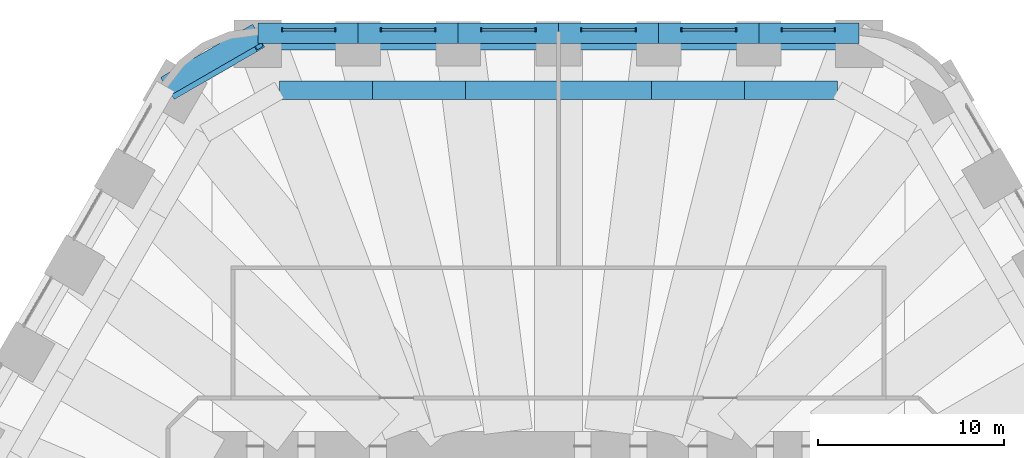
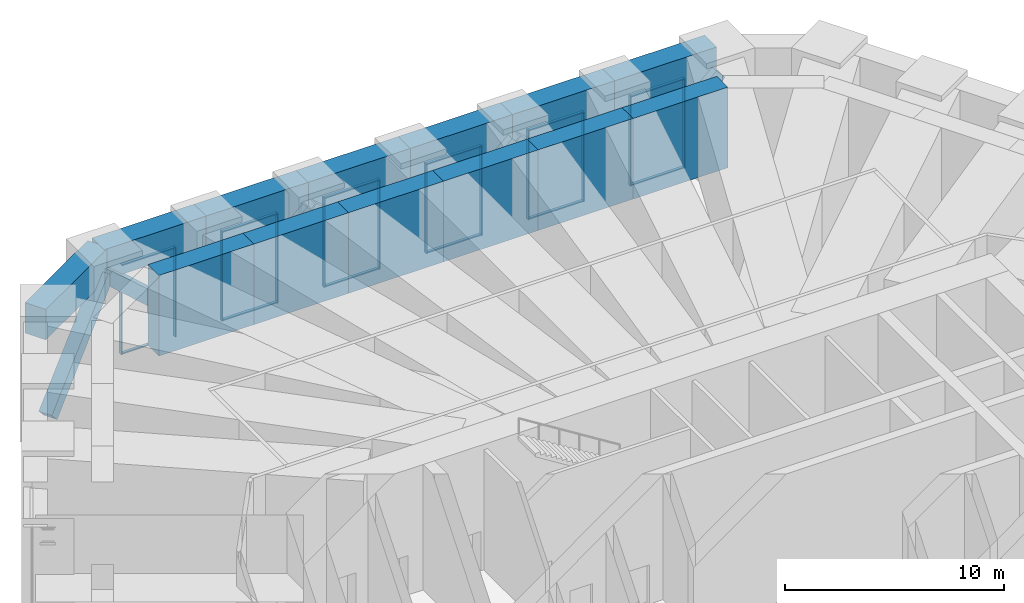
# One storey, part 11 of 17: 31 members, 13 beams, 6 elements without a shape of their own.
"""IFC4 building model written with IfcOpenShell, lengths in metres."""

from ifc_helpers import new_model, si_unit, direction, frame, origin, origin_2d, place, context, subcontext, project, spatial, rectangle, hollow_rectangle, extrude, material, material_profile, profile_set, type_object, element, aggregate, save


model = new_model("IFC4")

# Units and contexts
model_context = context("Model", 3, precision=1e-05, world=origin(), true_north=direction((0.0, 1.0)))
body_context = subcontext(model_context, "Body", "Model", "MODEL_VIEW")
ifc_project = project(units=[si_unit("LENGTHUNIT", "METRE"), si_unit("AREAUNIT", "SQUARE_METRE"), si_unit("VOLUMEUNIT", "CUBIC_METRE"), si_unit("PLANEANGLEUNIT", "RADIAN"), si_unit("MASSUNIT", "GRAM", prefix="KILO")], contexts=[model_context])

# Site, building, storey
site_placement = place(None, origin())
site = spatial("IfcSite", under=ifc_project, at=site_placement, CompositionType="ELEMENT")
building_placement = place(site_placement, origin())
building = spatial("IfcBuilding", under=site, at=building_placement, Name="Tarfa Lantern Tower", CompositionType="ELEMENT")
storey_placement = place(building_placement, frame((0.0, 0.0, 107.5)))
storey = spatial("IfcBuildingStorey", under=building, at=storey_placement, Name="L24", CompositionType="ELEMENT", Elevation=107.5)

# Members
ifc_material_1 = material(Name="Steel S460M", Category="steel")
ifc_material_profile_1 = material_profile(ifc_material_1, hollow_rectangle(XDim=0.699951171875, YDim=0.699951171875, WallThickness=0.080078125, at=origin_2d()), Name="BOX700x700x80")
ifc_profile_set_1 = profile_set([ifc_material_profile_1], Name="Steel S460M")
member_type_1 = type_object("IfcMemberType", Name="BT1 BOX700x700x80", PredefinedType="BRACE", material=ifc_profile_set_1)
member_1_placement = place(storey_placement, frame((10.777099609375, 33.14990234375, 0.60009765625), z_axis=(0.746729497416, 0.0, 0.665127850634), x_axis=(0.0, 1.0, 0.0)))
element("IfcMember", 1, at=member_1_placement, inside=storey, type_object=member_type_1, Name="Belt truss diagonal 8", PredefinedType="BRACE", context=body_context, shape_type="SweptSolid", body=[
    extrude(hollow_rectangle(XDim=0.699951171875, YDim=0.699951171875, WallThickness=0.080078125, at=origin_2d()), origin(), (0.0, 0.0, 1.0), 7.21630859375),
])
member_2_placement = place(storey_placement, frame((10.777099609375, 33.14990234375, 0.60009765625), z_axis=(-0.746714529948, 0.0, 0.665144654015), x_axis=(0.0, -1.0, 0.0)))
element("IfcMember", 2, at=member_2_placement, inside=storey, type_object=member_type_1, Name="Belt truss diagonal 9", PredefinedType="BRACE", context=body_context, shape_type="SweptSolid", body=[
    extrude(hollow_rectangle(XDim=0.699951171875, YDim=0.699951171875, WallThickness=0.080078125, at=origin_2d()), origin(), (0.0, 0.0, 1.0), 7.216064453125),
])
for number, where, z_axis, x_axis, name in (
    (3, (0.0, 33.14990234375, 0.60009765625), (0.746729497416, 0.0, 0.665127850634), (0.0, 1.0, 0.0), "Belt truss diagonal 10"),
    (4, (0.0, 33.14990234375, 0.60009765625), (-0.746729497416, 0.0, 0.665127850634), (0.0, -1.0, 0.0), "Belt truss diagonal 11"),
):
    element("IfcMember", number, at=place(storey_placement, frame(where, z_axis=z_axis, x_axis=x_axis)), inside=storey, type_object=member_type_1, Name=name, PredefinedType="BRACE", context=body_context, shape_type="SweptSolid", body=[
        extrude(hollow_rectangle(XDim=0.699951171875, YDim=0.699951171875, WallThickness=0.080078125, at=origin_2d()), origin(), (0.0, 0.0, 1.0), 7.21630859375),
    ])
member_3_placement = place(storey_placement, frame((-10.777099609375, 33.14990234375, 0.60009765625), z_axis=(0.746714529948, 0.0, 0.665144654015), x_axis=(0.0, 1.0, 0.0)))
element("IfcMember", 5, at=member_3_placement, inside=storey, type_object=member_type_1, Name="Belt truss diagonal 12", PredefinedType="BRACE", context=body_context, shape_type="SweptSolid", body=[
    extrude(hollow_rectangle(XDim=0.699951171875, YDim=0.699951171875, WallThickness=0.080078125, at=origin_2d()), origin(), (0.0, 0.0, 1.0), 7.216064453125),
])
member_4_placement = place(storey_placement, frame((-10.777099609375, 33.14990234375, 0.60009765625), z_axis=(-0.746729497416, 0.0, 0.665127850634), x_axis=(0.0, -1.0, 0.0)))
element("IfcMember", 6, at=member_4_placement, inside=storey, type_object=member_type_1, Name="Belt truss diagonal 13", PredefinedType="BRACE", context=body_context, shape_type="SweptSolid", body=[
    extrude(hollow_rectangle(XDim=0.699951171875, YDim=0.699951171875, WallThickness=0.080078125, at=origin_2d()), origin(), (0.0, 0.0, 1.0), 7.21630859375),
])
member_5_placement = place(storey_placement, frame((-20.625732421875, 30.574951171875, 0.60009765625), z_axis=(0.633529001799, 0.365766935733, 0.681803162654), x_axis=(-0.499998765615, 0.866026116456, 0.0)))
element("IfcMember", 7, at=member_5_placement, inside=storey, type_object=member_type_1, Name="Belt truss diagonal 14", PredefinedType="BRACE", context=body_context, shape_type="SweptSolid", body=[
    extrude(hollow_rectangle(XDim=0.699951171875, YDim=0.699951171875, WallThickness=0.080078125, at=origin_2d()), origin(), (0.0, 0.0, 1.0), 7.039794921875),
])

# Curtain wall, members
ifc_material_2 = material(Name="Aluminium framed curtain wall", Category="aluminium")
curtain_wall_type = type_object("IfcCurtainWallType", Name="CW6 LOUVRED SCREEN WALL 5000", PredefinedType="USERDEFINED", material=ifc_material_2)
curtain_wall_1_placement = place(storey_placement, origin())
curtain_wall_1 = element("IfcCurtainWall", 8, at=curtain_wall_1_placement, inside=storey, type_object=curtain_wall_type, Name="CW6 N L24", ObjectType="CURTAIN WALL", PredefinedType="USERDEFINED")
ifc_material_3 = material(Name="Aluminium mullion", Category="aluminium")
ifc_material_profile_2 = material_profile(ifc_material_3, rectangle(XDim=0.06494140625, YDim=0.199951171875, at=origin_2d()), Name="AL MULLION 65x200")
ifc_profile_set_2 = profile_set([ifc_material_profile_2], Name="Aluminium mullion")
member_type_2 = type_object("IfcMemberType", Name="CWM1 MULLION 65x200", PredefinedType="MULLION", material=ifc_profile_set_2)
member_6_placement = place(storey_placement, frame((14.8583984375, 33.89990234375, 0.0), z_axis=(0.0, 0.0, 1.0), x_axis=(1.0, 0.0, 0.0)))
member_6 = element("IfcMember", 9, at=member_6_placement, type_object=member_type_2, Name="CW6 mullion 1", PredefinedType="MULLION", context=body_context, shape_type="SweptSolid", body=[
    extrude(rectangle(XDim=0.06494140625, YDim=0.199951171875, at=origin_2d()), origin(), (0.0, 0.0, 1.0), 5.0),
])
member_7_placement = place(storey_placement, frame((12.009765625, 33.89990234375, 0.0), z_axis=(0.0, 0.0, 1.0), x_axis=(1.0, 0.0, 0.0)))
member_7 = element("IfcMember", 10, at=member_7_placement, type_object=member_type_2, Name="CW6 mullion 2", PredefinedType="MULLION", context=body_context, shape_type="SweptSolid", body=[
    extrude(rectangle(XDim=0.06494140625, YDim=0.199951171875, at=origin_2d()), origin(), (0.0, 0.0, 1.0), 5.0),
])

curtain_wall_2_placement = place(storey_placement, origin())
curtain_wall_2 = element("IfcCurtainWall", 11, at=curtain_wall_2_placement, inside=storey, type_object=curtain_wall_type, Name="CW6 N L24", ObjectType="CURTAIN WALL", PredefinedType="USERDEFINED")
member_8_placement = place(storey_placement, frame((9.544677734375, 33.89990234375, 0.0), z_axis=(0.0, 0.0, 1.0), x_axis=(1.0, 0.0, 0.0)))
member_8 = element("IfcMember", 12, at=member_8_placement, type_object=member_type_2, Name="CW6 mullion 1", PredefinedType="MULLION", context=body_context, shape_type="SweptSolid", body=[
    extrude(rectangle(XDim=0.06494140625, YDim=0.199951171875, at=origin_2d()), origin(), (0.0, 0.0, 1.0), 5.0),
])
member_9_placement = place(storey_placement, frame((6.62109375, 33.89990234375, 0.0), z_axis=(0.0, 0.0, 1.0), x_axis=(1.0, 0.0, 0.0)))
member_9 = element("IfcMember", 13, at=member_9_placement, type_object=member_type_2, Name="CW6 mullion 2", PredefinedType="MULLION", context=body_context, shape_type="SweptSolid", body=[
    extrude(rectangle(XDim=0.06494140625, YDim=0.199951171875, at=origin_2d()), origin(), (0.0, 0.0, 1.0), 5.0),
])

curtain_wall_3_placement = place(storey_placement, origin())
curtain_wall_3 = element("IfcCurtainWall", 14, at=curtain_wall_3_placement, inside=storey, type_object=curtain_wall_type, Name="CW6 N L24", ObjectType="CURTAIN WALL", PredefinedType="USERDEFINED")
member_10_placement = place(storey_placement, frame((4.156005859375, 33.89990234375, 0.0), z_axis=(0.0, 0.0, 1.0), x_axis=(1.0, 0.0, 0.0)))
member_10 = element("IfcMember", 15, at=member_10_placement, type_object=member_type_2, Name="CW6 mullion 1", PredefinedType="MULLION", context=body_context, shape_type="SweptSolid", body=[
    extrude(rectangle(XDim=0.06494140625, YDim=0.199951171875, at=origin_2d()), origin(), (0.0, 0.0, 1.0), 5.0),
])
member_11_placement = place(storey_placement, frame((1.232421875, 33.89990234375, 0.0), z_axis=(0.0, 0.0, 1.0), x_axis=(1.0, 0.0, 0.0)))
member_11 = element("IfcMember", 16, at=member_11_placement, type_object=member_type_2, Name="CW6 mullion 2", PredefinedType="MULLION", context=body_context, shape_type="SweptSolid", body=[
    extrude(rectangle(XDim=0.06494140625, YDim=0.199951171875, at=origin_2d()), origin(), (0.0, 0.0, 1.0), 5.0),
])

curtain_wall_4_placement = place(storey_placement, origin())
curtain_wall_4 = element("IfcCurtainWall", 17, at=curtain_wall_4_placement, inside=storey, type_object=curtain_wall_type, Name="CW6 N L24", ObjectType="CURTAIN WALL", PredefinedType="USERDEFINED")
member_12_placement = place(storey_placement, frame((-1.232421875, 33.89990234375, 0.0), z_axis=(0.0, 0.0, 1.0), x_axis=(1.0, 0.0, 0.0)))
member_12 = element("IfcMember", 18, at=member_12_placement, type_object=member_type_2, Name="CW6 mullion 1", PredefinedType="MULLION", context=body_context, shape_type="SweptSolid", body=[
    extrude(rectangle(XDim=0.06494140625, YDim=0.199951171875, at=origin_2d()), origin(), (0.0, 0.0, 1.0), 5.0),
])
member_13_placement = place(storey_placement, frame((-4.156005859375, 33.89990234375, 0.0), z_axis=(0.0, 0.0, 1.0), x_axis=(1.0, 0.0, 0.0)))
member_13 = element("IfcMember", 19, at=member_13_placement, type_object=member_type_2, Name="CW6 mullion 2", PredefinedType="MULLION", context=body_context, shape_type="SweptSolid", body=[
    extrude(rectangle(XDim=0.06494140625, YDim=0.199951171875, at=origin_2d()), origin(), (0.0, 0.0, 1.0), 5.0),
])

curtain_wall_5_placement = place(storey_placement, origin())
curtain_wall_5 = element("IfcCurtainWall", 20, at=curtain_wall_5_placement, inside=storey, type_object=curtain_wall_type, Name="CW6 N L24", ObjectType="CURTAIN WALL", PredefinedType="USERDEFINED")
member_14_placement = place(storey_placement, frame((-6.62109375, 33.89990234375, 0.0), z_axis=(0.0, 0.0, 1.0), x_axis=(1.0, 0.0, 0.0)))
member_14 = element("IfcMember", 21, at=member_14_placement, type_object=member_type_2, Name="CW6 mullion 1", PredefinedType="MULLION", context=body_context, shape_type="SweptSolid", body=[
    extrude(rectangle(XDim=0.06494140625, YDim=0.199951171875, at=origin_2d()), origin(), (0.0, 0.0, 1.0), 5.0),
])
member_15_placement = place(storey_placement, frame((-9.544677734375, 33.89990234375, 0.0), z_axis=(0.0, 0.0, 1.0), x_axis=(1.0, 0.0, 0.0)))
member_15 = element("IfcMember", 22, at=member_15_placement, type_object=member_type_2, Name="CW6 mullion 2", PredefinedType="MULLION", context=body_context, shape_type="SweptSolid", body=[
    extrude(rectangle(XDim=0.06494140625, YDim=0.199951171875, at=origin_2d()), origin(), (0.0, 0.0, 1.0), 5.0),
])

curtain_wall_6_placement = place(storey_placement, origin())
curtain_wall_6 = element("IfcCurtainWall", 23, at=curtain_wall_6_placement, inside=storey, type_object=curtain_wall_type, Name="CW6 N L24", ObjectType="CURTAIN WALL", PredefinedType="USERDEFINED")
member_16_placement = place(storey_placement, frame((-12.009765625, 33.89990234375, 0.0), z_axis=(0.0, 0.0, 1.0), x_axis=(1.0, 0.0, 0.0)))
member_16 = element("IfcMember", 24, at=member_16_placement, type_object=member_type_2, Name="CW6 mullion 1", PredefinedType="MULLION", context=body_context, shape_type="SweptSolid", body=[
    extrude(rectangle(XDim=0.06494140625, YDim=0.199951171875, at=origin_2d()), origin(), (0.0, 0.0, 1.0), 5.0),
])
member_17_placement = place(storey_placement, frame((-14.8583984375, 33.89990234375, 0.0), z_axis=(0.0, 0.0, 1.0), x_axis=(1.0, 0.0, 0.0)))
member_17 = element("IfcMember", 25, at=member_17_placement, type_object=member_type_2, Name="CW6 mullion 2", PredefinedType="MULLION", context=body_context, shape_type="SweptSolid", body=[
    extrude(rectangle(XDim=0.06494140625, YDim=0.199951171875, at=origin_2d()), origin(), (0.0, 0.0, 1.0), 5.0),
])

# Member
ifc_material_4 = material(Name="Aluminium transom", Category="aluminium")
ifc_material_profile_3 = material_profile(ifc_material_4, rectangle(XDim=0.14990234375, YDim=0.06494140625, at=origin_2d()), Name="AL TRANSOM 150x65")
ifc_profile_set_3 = profile_set([ifc_material_profile_3], Name="Aluminium transom")
member_type_3 = type_object("IfcMemberType", Name="CWT1 TRANSOM 150x65", PredefinedType="USERDEFINED", material=ifc_profile_set_3)
member_18_placement = place(storey_placement, frame((14.825927734375, 33.89990234375, 0.032470703125), z_axis=(-1.0, 0.0, 0.0), x_axis=(0.0, -1.0, 0.0)))
member_18 = element("IfcMember", 26, at=member_18_placement, type_object=member_type_3, Name="CW6 transom 1.1", ObjectType="TRANSOM", PredefinedType="USERDEFINED", context=body_context, shape_type="SweptSolid", body=[
    extrude(rectangle(XDim=0.14990234375, YDim=0.06494140625, at=origin_2d()), origin(), (0.0, 0.0, 1.0), 2.78369140625),
])

member_19_placement = place(storey_placement, frame((14.825927734375, 33.89990234375, 4.967529296875), z_axis=(-1.0, 0.0, 0.0), x_axis=(0.0, -1.0, 0.0)))
member_19 = element("IfcMember", 27, at=member_19_placement, type_object=member_type_3, Name="CW6 transom 1.2", ObjectType="TRANSOM", PredefinedType="USERDEFINED", context=body_context, shape_type="SweptSolid", body=[
    extrude(rectangle(XDim=0.14990234375, YDim=0.06494140625, at=origin_2d()), origin(), (0.0, 0.0, 1.0), 2.78369140625),
])

aggregate(curtain_wall_1, [member_6, member_7, member_18, member_19])

member_20_placement = place(storey_placement, frame((9.51220703125, 33.89990234375, 0.032470703125), z_axis=(-1.0, 0.0, 0.0), x_axis=(0.0, -1.0, 0.0)))
member_20 = element("IfcMember", 28, at=member_20_placement, type_object=member_type_3, Name="CW6 transom 1.1", ObjectType="TRANSOM", PredefinedType="USERDEFINED", context=body_context, shape_type="SweptSolid", body=[
    extrude(rectangle(XDim=0.14990234375, YDim=0.06494140625, at=origin_2d()), origin(), (0.0, 0.0, 1.0), 2.858642578125),
])

member_21_placement = place(storey_placement, frame((9.51220703125, 33.89990234375, 4.967529296875), z_axis=(-1.0, 0.0, 0.0), x_axis=(0.0, -1.0, 0.0)))
member_21 = element("IfcMember", 29, at=member_21_placement, type_object=member_type_3, Name="CW6 transom 1.2", ObjectType="TRANSOM", PredefinedType="USERDEFINED", context=body_context, shape_type="SweptSolid", body=[
    extrude(rectangle(XDim=0.14990234375, YDim=0.06494140625, at=origin_2d()), origin(), (0.0, 0.0, 1.0), 2.858642578125),
])

aggregate(curtain_wall_2, [member_8, member_9, member_20, member_21])

member_22_placement = place(storey_placement, frame((4.12353515625, 33.89990234375, 0.032470703125), z_axis=(-1.0, 0.0, 0.0), x_axis=(0.0, -1.0, 0.0)))
member_22 = element("IfcMember", 30, at=member_22_placement, type_object=member_type_3, Name="CW6 transom 1.1", ObjectType="TRANSOM", PredefinedType="USERDEFINED", context=body_context, shape_type="SweptSolid", body=[
    extrude(rectangle(XDim=0.14990234375, YDim=0.06494140625, at=origin_2d()), origin(), (0.0, 0.0, 1.0), 2.858642578125),
])

member_23_placement = place(storey_placement, frame((4.12353515625, 33.89990234375, 4.967529296875), z_axis=(-1.0, 0.0, 0.0), x_axis=(0.0, -1.0, 0.0)))
member_23 = element("IfcMember", 31, at=member_23_placement, type_object=member_type_3, Name="CW6 transom 1.2", ObjectType="TRANSOM", PredefinedType="USERDEFINED", context=body_context, shape_type="SweptSolid", body=[
    extrude(rectangle(XDim=0.14990234375, YDim=0.06494140625, at=origin_2d()), origin(), (0.0, 0.0, 1.0), 2.858642578125),
])

aggregate(curtain_wall_3, [member_10, member_11, member_22, member_23])

member_24_placement = place(storey_placement, frame((-1.264892578125, 33.89990234375, 0.032470703125), z_axis=(-1.0, 0.0, 0.0), x_axis=(0.0, -1.0, 0.0)))
member_24 = element("IfcMember", 32, at=member_24_placement, type_object=member_type_3, Name="CW6 transom 1.1", ObjectType="TRANSOM", PredefinedType="USERDEFINED", context=body_context, shape_type="SweptSolid", body=[
    extrude(rectangle(XDim=0.14990234375, YDim=0.06494140625, at=origin_2d()), origin(), (0.0, 0.0, 1.0), 2.858642578125),
])

member_25_placement = place(storey_placement, frame((-1.264892578125, 33.89990234375, 4.967529296875), z_axis=(-1.0, 0.0, 0.0), x_axis=(0.0, -1.0, 0.0)))
member_25 = element("IfcMember", 33, at=member_25_placement, type_object=member_type_3, Name="CW6 transom 1.2", ObjectType="TRANSOM", PredefinedType="USERDEFINED", context=body_context, shape_type="SweptSolid", body=[
    extrude(rectangle(XDim=0.14990234375, YDim=0.06494140625, at=origin_2d()), origin(), (0.0, 0.0, 1.0), 2.858642578125),
])

aggregate(curtain_wall_4, [member_12, member_13, member_24, member_25])

member_26_placement = place(storey_placement, frame((-6.653564453125, 33.89990234375, 0.032470703125), z_axis=(-1.0, 0.0, 0.0), x_axis=(0.0, -1.0, 0.0)))
member_26 = element("IfcMember", 34, at=member_26_placement, type_object=member_type_3, Name="CW6 transom 1.1", ObjectType="TRANSOM", PredefinedType="USERDEFINED", context=body_context, shape_type="SweptSolid", body=[
    extrude(rectangle(XDim=0.14990234375, YDim=0.06494140625, at=origin_2d()), origin(), (0.0, 0.0, 1.0), 2.858642578125),
])

member_27_placement = place(storey_placement, frame((-6.653564453125, 33.89990234375, 4.967529296875), z_axis=(-1.0, 0.0, 0.0), x_axis=(0.0, -1.0, 0.0)))
member_27 = element("IfcMember", 35, at=member_27_placement, type_object=member_type_3, Name="CW6 transom 1.2", ObjectType="TRANSOM", PredefinedType="USERDEFINED", context=body_context, shape_type="SweptSolid", body=[
    extrude(rectangle(XDim=0.14990234375, YDim=0.06494140625, at=origin_2d()), origin(), (0.0, 0.0, 1.0), 2.858642578125),
])

aggregate(curtain_wall_5, [member_14, member_15, member_26, member_27])

member_28_placement = place(storey_placement, frame((-12.042236328125, 33.89990234375, 0.032470703125), z_axis=(-1.0, 0.0, 0.0), x_axis=(0.0, -1.0, 0.0)))
member_28 = element("IfcMember", 36, at=member_28_placement, type_object=member_type_3, Name="CW6 transom 1.1", ObjectType="TRANSOM", PredefinedType="USERDEFINED", context=body_context, shape_type="SweptSolid", body=[
    extrude(rectangle(XDim=0.14990234375, YDim=0.06494140625, at=origin_2d()), origin(), (0.0, 0.0, 1.0), 2.78369140625),
])

member_29_placement = place(storey_placement, frame((-12.042236328125, 33.89990234375, 4.967529296875), z_axis=(-1.0, 0.0, 0.0), x_axis=(0.0, -1.0, 0.0)))
member_29 = element("IfcMember", 37, at=member_29_placement, type_object=member_type_3, Name="CW6 transom 1.2", ObjectType="TRANSOM", PredefinedType="USERDEFINED", context=body_context, shape_type="SweptSolid", body=[
    extrude(rectangle(XDim=0.14990234375, YDim=0.06494140625, at=origin_2d()), origin(), (0.0, 0.0, 1.0), 2.78369140625),
])

aggregate(curtain_wall_6, [member_16, member_17, member_28, member_29])

# Beams
ifc_material_5 = material(Name="Concrete C80/95", Category="concrete")
ifc_material_profile_4 = material_profile(ifc_material_5, rectangle(XDim=1.10009765625, YDim=1.699951171875, at=origin_2d()), Name="RC 1100x1700")
ifc_profile_set_4 = profile_set([ifc_material_profile_4], Name="Concrete C80/95")
beam_type_1 = type_object("IfcBeamType", Name="RB1 RC 1100x1700", PredefinedType="BEAM", material=ifc_profile_set_4)
beam_1_placement = place(storey_placement, frame((16.165771484375, 33.719970703125, 5.85009765625), z_axis=(-1.0, 0.0, 0.0), x_axis=(0.0, -1.0, 0.0)))
element("IfcBeam", 38, at=beam_1_placement, inside=storey, type_object=beam_type_1, Name="Edge beam N0", PredefinedType="BEAM", context=body_context, shape_type="SweptSolid", body=[
    extrude(rectangle(XDim=1.10009765625, YDim=1.699951171875, at=origin_2d()), origin(), (0.0, 0.0, 1.0), 5.388671875),
])
beam_2_placement = place(storey_placement, frame((10.777099609375, 33.719970703125, 5.85009765625), z_axis=(-1.0, 0.0, 0.0), x_axis=(0.0, -1.0, 0.0)))
element("IfcBeam", 39, at=beam_2_placement, inside=storey, type_object=beam_type_1, Name="Edge beam N1", PredefinedType="BEAM", context=body_context, shape_type="SweptSolid", body=[
    extrude(rectangle(XDim=1.10009765625, YDim=1.699951171875, at=origin_2d()), origin(), (0.0, 0.0, 1.0), 5.388427734375),
])
for number, where, z_axis, x_axis, name in (
    (40, (5.388671875, 33.719970703125, 5.85009765625), (-1.0, 0.0, 0.0), (0.0, -1.0, 0.0), "Edge beam N2"),
    (41, (0.0, 33.719970703125, 5.85009765625), (-1.0, 0.0, 0.0), (0.0, -1.0, 0.0), "Edge beam N3"),
):
    element("IfcBeam", number, at=place(storey_placement, frame(where, z_axis=z_axis, x_axis=x_axis)), inside=storey, type_object=beam_type_1, Name=name, PredefinedType="BEAM", context=body_context, shape_type="SweptSolid", body=[
        extrude(rectangle(XDim=1.10009765625, YDim=1.699951171875, at=origin_2d()), origin(), (0.0, 0.0, 1.0), 5.388671875),
    ])
beam_3_placement = place(storey_placement, frame((-5.388671875, 33.719970703125, 5.85009765625), z_axis=(-1.0, 0.0, 0.0), x_axis=(0.0, -1.0, 0.0)))
element("IfcBeam", 42, at=beam_3_placement, inside=storey, type_object=beam_type_1, Name="Edge beam N4", PredefinedType="BEAM", context=body_context, shape_type="SweptSolid", body=[
    extrude(rectangle(XDim=1.10009765625, YDim=1.699951171875, at=origin_2d()), origin(), (0.0, 0.0, 1.0), 5.388427734375),
])
beam_4_placement = place(storey_placement, frame((-10.777099609375, 33.719970703125, 5.85009765625), z_axis=(-1.0, 0.0, 0.0), x_axis=(0.0, -1.0, 0.0)))
element("IfcBeam", 43, at=beam_4_placement, inside=storey, type_object=beam_type_1, Name="Edge beam N5", PredefinedType="BEAM", context=body_context, shape_type="SweptSolid", body=[
    extrude(rectangle(XDim=1.10009765625, YDim=1.699951171875, at=origin_2d()), origin(), (0.0, 0.0, 1.0), 5.388671875),
])
beam_5_placement = place(storey_placement, frame((-16.165771484375, 33.719970703125, 5.85009765625), z_axis=(-0.866033479681, -0.499986011877, 0.0), x_axis=(0.499986011877, -0.866033479681, 0.0)))
element("IfcBeam", 44, at=beam_5_placement, inside=storey, type_object=beam_type_1, Name="Edge beam N6", PredefinedType="BEAM", context=body_context, shape_type="SweptSolid", body=[
    extrude(rectangle(XDim=1.10009765625, YDim=1.699951171875, at=origin_2d()), origin(), (0.0, 0.0, 1.0), 5.719970703125),
])
ifc_material_profile_5 = material_profile(ifc_material_5, rectangle(XDim=1.0, YDim=4.5, at=origin_2d()), Name="RC 1000x4500")
ifc_profile_set_5 = profile_set([ifc_material_profile_5], Name="Concrete C80/95")
beam_type_2 = type_object("IfcBeamType", Name="RG1 RC 1000x4500", PredefinedType="BEAM", material=ifc_profile_set_5)
for number, where, z_axis, x_axis, name in (
    (45, (15.010986328125, 30.64990234375, 4.449951171875), (-1.0, 0.0, 0.0), (0.0, -1.0, 0.0), "Ring girder N0"),
    (46, (10.00732421875, 30.64990234375, 4.449951171875), (-1.0, 0.0, 0.0), (0.0, -1.0, 0.0), "Ring girder N1"),
    (47, (5.003662109375, 30.64990234375, 4.449951171875), (-1.0, 0.0, 0.0), (0.0, -1.0, 0.0), "Ring girder N2"),
    (48, (0.0, 30.64990234375, 4.449951171875), (-1.0, 0.0, 0.0), (0.0, -1.0, 0.0), "Ring girder N3"),
    (49, (-5.003662109375, 30.64990234375, 4.449951171875), (-1.0, 0.0, 0.0), (0.0, -1.0, 0.0), "Ring girder N4"),
    (50, (-10.00732421875, 30.64990234375, 4.449951171875), (-1.0, 0.0, 0.0), (0.0, -1.0, 0.0), "Ring girder N5"),
):
    element("IfcBeam", number, at=place(storey_placement, frame(where, z_axis=z_axis, x_axis=x_axis)), inside=storey, type_object=beam_type_2, Name=name, PredefinedType="BEAM", context=body_context, shape_type="SweptSolid", body=[
        extrude(rectangle(XDim=1.0, YDim=4.5, at=origin_2d()), origin(), (0.0, 0.0, 1.0), 5.003662109375),
    ])

save(model, "model.ifc")
